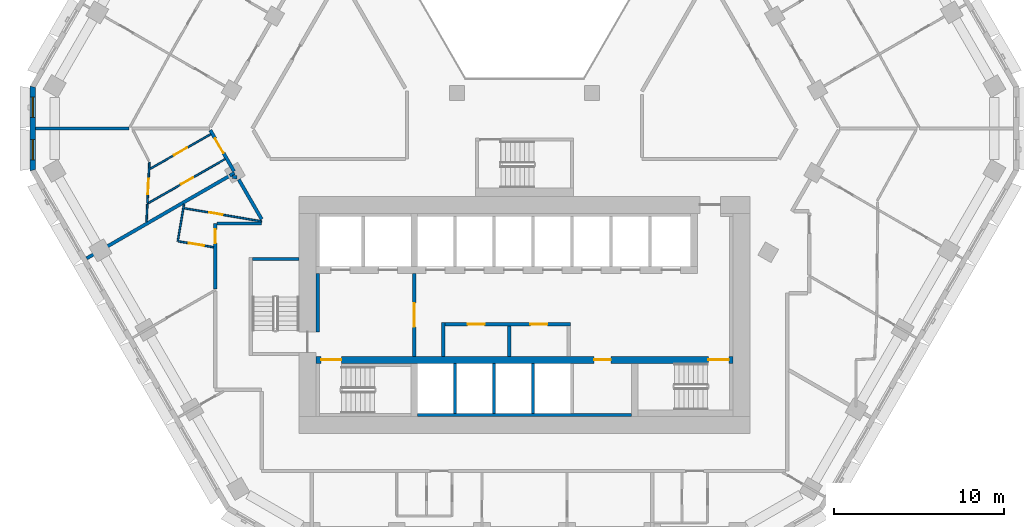
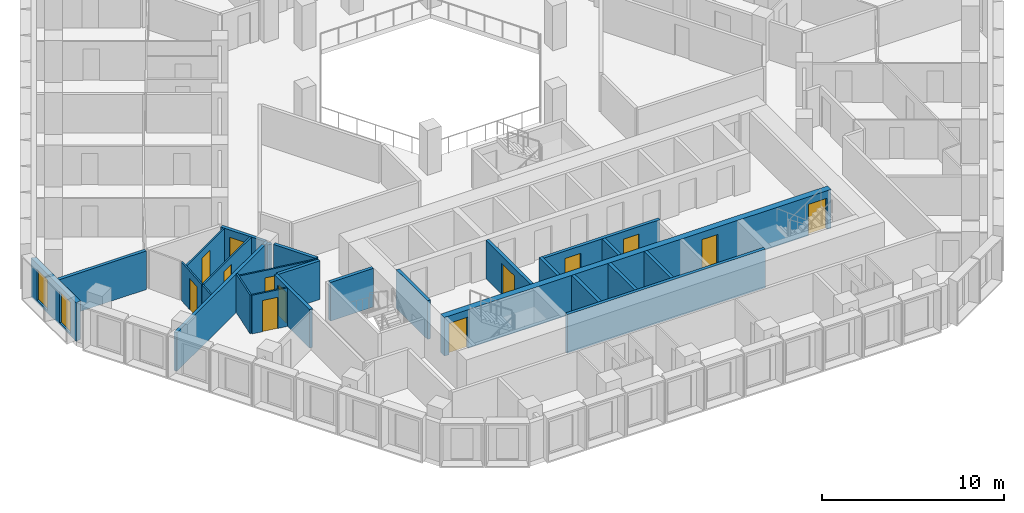
# One storey, part 4 of 18: 27 walls, 13 doors, 2 windows, 15 openings.
"""IFC4 building model written with IfcOpenShell, lengths in metres."""

from ifc_helpers import new_model, si_unit, direction, frame, frame_2d, origin, place, context, subcontext, project, spatial, polyline, rectangle, outline, extrude, material, layer, layer_set, type_object, element, fill, save


model = new_model("IFC4")

# Units and contexts
model_context = context("Model", 3, precision=1e-05, world=origin(), true_north=direction((0.0, 1.0)))
body_context = subcontext(model_context, "Body", "Model", "MODEL_VIEW")
ifc_project = project(units=[si_unit("LENGTHUNIT", "METRE"), si_unit("AREAUNIT", "SQUARE_METRE"), si_unit("VOLUMEUNIT", "CUBIC_METRE"), si_unit("PLANEANGLEUNIT", "RADIAN"), si_unit("MASSUNIT", "GRAM", prefix="KILO")], contexts=[model_context])

# Site, building, storey
site_placement = place(None, origin())
site = spatial("IfcSite", under=ifc_project, at=site_placement, CompositionType="ELEMENT")
building_placement = place(site_placement, origin())
building = spatial("IfcBuilding", under=site, at=building_placement, Name="Beryl Residences", CompositionType="ELEMENT")
storey_placement = place(building_placement, frame((0.0, 0.0, 105.0)))
storey = spatial("IfcBuildingStorey", under=building, at=storey_placement, Name="L32", CompositionType="ELEMENT", Elevation=105.0)

# Wall, openings, windows
ifc_material_1 = material(Name="Composite metal panel with mineral wool insulation")
ifc_layer_1 = layer(ifc_material_1, 0.300048828125)
ifc_layer_set_1 = layer_set([ifc_layer_1], Name="ES1 pale metal composite panel wall 300 mm")
wall_type_1 = type_object("IfcWallType", Name="ES1 pale metal composite panel wall 300 mm", PredefinedType="SOLIDWALL", material=ifc_layer_set_1)
wall_1_placement = place(storey_placement, frame((-29.007080078125, 1.5, 0.0), z_axis=(0.0, 0.0, 1.0), x_axis=(0.0, -1.0, 0.0)))
wall_1 = element("IfcWall", 1, at=wall_1_placement, inside=storey, type_object=wall_type_1, Name="ES1 external wall L32 NW-SW", PredefinedType="SOLIDWALL", context=body_context, shape_type="SweptSolid", body=[
    extrude(outline(polyline([(0.0, -0.14990234375), (5.0, -0.14990234375), (4.919677734375, 0.14990234375), (0.080322265625, 0.14990234375), (0.0, -0.14990234375)])), origin(), (0.0, 0.0, 1.0), 2.60009765625),
])
opening_1_placement = place(wall_1_placement, frame((0.64990234375, 0.0, 0.14990234375)))
opening_1 = element("IfcOpeningElement", 2, at=opening_1_placement, cuts=wall_1, Name="Opening W2", PredefinedType="OPENING", context=body_context, shape_type="SweptSolid", body=[
    extrude(rectangle(XDim=1.199951171875, YDim=2.10009765625, at=frame_2d((0.60009765625, 1.050048828125))), frame((0.0, 0.159912109375, 0.0), z_axis=(0.0, -1.0, 0.0), x_axis=(1.0, 0.0, 0.0)), (0.0, 0.0, 1.0), 0.320068359375),
])
opening_2_placement = place(wall_1_placement, frame((3.14990234375, 0.0, 0.14990234375)))
opening_2 = element("IfcOpeningElement", 3, at=opening_2_placement, cuts=wall_1, Name="Opening W2", PredefinedType="OPENING", context=body_context, shape_type="SweptSolid", body=[
    extrude(rectangle(XDim=1.199951171875, YDim=2.10009765625, at=frame_2d((0.60009765625, 1.050048828125))), frame((0.0, 0.159912109375, 0.0), z_axis=(0.0, -1.0, 0.0), x_axis=(1.0, 0.0, 0.0)), (0.0, 0.0, 1.0), 0.320068359375),
])
ifc_material_2 = material(Name="Aluminium and clear glass", Category="aluminium")
window_type = type_object("IfcWindowType", Name="W2 chamfer window 1200 x 2100 mm", PartitioningType="SINGLE_PANEL", PredefinedType="WINDOW", material=ifc_material_2)
window_1_placement = place(opening_1_placement, origin())
window_1 = element("IfcWindow", 4, at=window_1_placement, inside=storey, type_object=window_type, Name="W2 window L32 NW-SW 1", OverallHeight=2.10009765625, OverallWidth=1.199951171875, PartitioningType="SINGLE_PANEL", PredefinedType="WINDOW", context=body_context, shape_type="SweptSolid", body=[
    extrude(rectangle(XDim=1.199951171875, YDim=2.10009765625, at=frame_2d((0.60009765625, 1.050048828125))), frame((0.0, 0.030029296875, 0.0), z_axis=(0.0, -1.0, 0.0), x_axis=(1.0, 0.0, 0.0)), (0.0, 0.0, 1.0), 0.06005859375),
])
fill(opening_1, window_1)
window_2_placement = place(opening_2_placement, origin())
window_2 = element("IfcWindow", 5, at=window_2_placement, inside=storey, type_object=window_type, Name="W2 window L32 NW-SW 2", OverallHeight=2.10009765625, OverallWidth=1.199951171875, PartitioningType="SINGLE_PANEL", PredefinedType="WINDOW", context=body_context, shape_type="SweptSolid", body=[
    extrude(rectangle(XDim=1.199951171875, YDim=2.10009765625, at=frame_2d((0.60009765625, 1.050048828125))), frame((0.0, 0.030029296875, 0.0), z_axis=(0.0, -1.0, 0.0), x_axis=(1.0, 0.0, 0.0)), (0.0, 0.0, 1.0), 0.06005859375),
])
fill(opening_2, window_2)

# Wall, opening, door
ifc_material_3 = material(Name="Gypsum board partition on steel studs", Category="steel")
ifc_layer_2 = layer(ifc_material_3, 0.10009765625)
ifc_layer_set_2 = layer_set([ifc_layer_2], Name="PT1 partition 100 mm gypsum board on steel studs")
wall_type_2 = type_object("IfcWallType", Name="PT1 partition 100 mm gypsum board on steel studs", PredefinedType="PARTITIONING", material=ifc_layer_set_2)
wall_2_placement = place(storey_placement, frame((-20.071044921875, -5.7041015625, 0.0), z_axis=(0.0, 0.0, 1.0), x_axis=(0.985933263306, -0.16713946364, 0.0)))
wall_2 = element("IfcWall", 6, at=wall_2_placement, inside=storey, type_object=wall_type_2, Name="Wall PT1 L32 013", PredefinedType="PARTITIONING", context=body_context, shape_type="SweptSolid", body=[
    extrude(rectangle(XDim=4.63623046875, YDim=0.10009765625, at=frame_2d((2.318115234375, 0.0))), origin(), (0.0, 0.0, 1.0), 2.60009765625),
])
opening_3_placement = place(wall_2_placement, frame((1.492919921875, 0.0, 0.0)))
opening_3 = element("IfcOpeningElement", 7, at=opening_3_placement, cuts=wall_2, Name="Opening D0702", PredefinedType="OPENING", context=body_context, shape_type="SweptSolid", body=[
    extrude(rectangle(XDim=0.800048828125, YDim=2.10009765625, at=frame_2d((0.39990234375, 1.050048828125))), frame((0.0, 0.06005859375, 0.0), z_axis=(0.0, -1.0, 0.0), x_axis=(1.0, 0.0, 0.0)), (0.0, 0.0, 1.0), 0.1201171875),
])
ifc_material_4 = material(Name="Timber door leaf", Category="wood")
door_type_1 = type_object("IfcDoorType", Name="D3 bathroom door 800 x 2100 mm", OperationType="SINGLE_SWING_LEFT", PredefinedType="DOOR", material=ifc_material_4)
door_1_placement = place(opening_3_placement, origin())
door_1 = element("IfcDoor", 8, at=door_1_placement, inside=storey, type_object=door_type_1, Name="Door D0702 L32 001", OperationType="SINGLE_SWING_RIGHT", OverallHeight=2.10009765625, OverallWidth=0.800048828125, PredefinedType="DOOR", context=body_context, shape_type="SweptSolid", body=[
    extrude(rectangle(XDim=0.800048828125, YDim=2.10009765625, at=frame_2d((0.39990234375, 1.050048828125))), frame((0.0, 0.02490234375, 0.0), z_axis=(0.0, -1.0, 0.0), x_axis=(1.0, 0.0, 0.0)), (0.0, 0.0, 1.0), 0.050048828125),
])
fill(opening_3, door_1)

wall_3_placement = place(storey_placement, frame((-20.40087890625, -7.656982421875, 0.0), z_axis=(0.0, 0.0, 1.0), x_axis=(0.985991281902, -0.166796858522, 0.0)))
wall_3 = element("IfcWall", 9, at=wall_3_placement, inside=storey, type_object=wall_type_2, Name="Wall PT1 L32 014", PredefinedType="PARTITIONING", context=body_context, shape_type="SweptSolid", body=[
    extrude(rectangle(XDim=2.079833984375, YDim=0.10009765625, at=frame_2d((1.0400390625, 0.0))), origin(), (0.0, 0.0, 1.0), 2.60009765625),
])
opening_4_placement = place(wall_3_placement, frame((0.615966796875, 0.0, 0.0)))
opening_4 = element("IfcOpeningElement", 10, at=opening_4_placement, cuts=wall_3, Name="Opening D0703", PredefinedType="OPENING", context=body_context, shape_type="SweptSolid", body=[
    extrude(rectangle(XDim=0.89990234375, YDim=2.10009765625, at=frame_2d((0.449951171875, 1.050048828125))), frame((0.0, 0.06005859375, 0.0), z_axis=(0.0, -1.0, 0.0), x_axis=(1.0, 0.0, 0.0)), (0.0, 0.0, 1.0), 0.1201171875),
])
ifc_material_5 = material(Name="Timber door leaf", Category="wood")
door_type_2 = type_object("IfcDoorType", Name="D2 room door 900 x 2100 mm", OperationType="SINGLE_SWING_LEFT", PredefinedType="DOOR", material=ifc_material_5)
door_2_placement = place(opening_4_placement, origin())
door_2 = element("IfcDoor", 11, at=door_2_placement, inside=storey, type_object=door_type_2, Name="Door D0703 L32 001", OperationType="SINGLE_SWING_LEFT", OverallHeight=2.10009765625, OverallWidth=0.89990234375, PredefinedType="DOOR", context=body_context, shape_type="SweptSolid", body=[
    extrude(rectangle(XDim=0.89990234375, YDim=2.10009765625, at=frame_2d((0.449951171875, 1.050048828125))), frame((0.0, 0.02490234375, 0.0), z_axis=(0.0, -1.0, 0.0), x_axis=(1.0, 0.0, 0.0)), (0.0, 0.0, 1.0), 0.050048828125),
])
fill(opening_4, door_2)

# Wall
wall_4_placement = place(storey_placement, frame((-20.450927734375, -7.64697265625, 0.0), z_axis=(0.0, 0.0, 1.0), x_axis=(0.167037570483, 0.985950531237, 0.0)))
element("IfcWall", 12, at=wall_4_placement, inside=storey, type_object=wall_type_2, Name="Wall PT1 L32 035", PredefinedType="PARTITIONING", context=body_context, shape_type="SweptSolid", body=[
    extrude(rectangle(XDim=2.22021484375, YDim=0.10009765625, at=frame_2d((1.110107421875, 0.0))), origin(), (0.0, 0.0, 1.0), 2.60009765625),
])

# Wall, opening, door
wall_5_placement = place(storey_placement, frame((-22.242919921875, -5.39501953125, 0.0), z_axis=(0.0, 0.0, 1.0), x_axis=(0.049092933256, 0.998794214993, 0.0)))
wall_5 = element("IfcWall", 13, at=wall_5_placement, inside=storey, type_object=wall_type_2, Name="Wall PT1 L32 037", PredefinedType="PARTITIONING", context=body_context, shape_type="SweptSolid", body=[
    extrude(rectangle(XDim=2.421875, YDim=0.10009765625, at=frame_2d((1.2109375, 0.0))), origin(), (0.0, 0.0, 1.0), 2.60009765625),
])
opening_5_placement = place(wall_5_placement, frame((0.52197265625, 0.0, 0.0)))
opening_5 = element("IfcOpeningElement", 14, at=opening_5_placement, cuts=wall_5, Name="Opening D0758", PredefinedType="OPENING", context=body_context, shape_type="SweptSolid", body=[
    extrude(rectangle(XDim=0.89990234375, YDim=2.10009765625, at=frame_2d((0.449951171875, 1.050048828125))), frame((0.0, 0.06005859375, 0.0), z_axis=(0.0, -1.0, 0.0), x_axis=(1.0, 0.0, 0.0)), (0.0, 0.0, 1.0), 0.1201171875),
])
door_3_placement = place(opening_5_placement, origin())
door_3 = element("IfcDoor", 15, at=door_3_placement, inside=storey, type_object=door_type_2, Name="Door D0758 L32 001", OperationType="SINGLE_SWING_RIGHT", OverallHeight=2.10009765625, OverallWidth=0.89990234375, PredefinedType="DOOR", context=body_context, shape_type="SweptSolid", body=[
    extrude(rectangle(XDim=0.89990234375, YDim=2.10009765625, at=frame_2d((0.449951171875, 1.050048828125))), frame((0.0, 0.02490234375, 0.0), z_axis=(0.0, -1.0, 0.0), x_axis=(1.0, 0.0, 0.0)), (0.0, 0.0, 1.0), 0.050048828125),
])
fill(opening_5, door_3)

# Wall
wall_6_placement = place(storey_placement, frame((-22.2919921875, -6.50390625, 0.0), z_axis=(0.0, 0.0, 1.0), x_axis=(0.04434829575, 0.999016130332, 0.0)))
element("IfcWall", 16, at=wall_6_placement, inside=storey, type_object=wall_type_2, Name="Wall PT1 L32 038", PredefinedType="PARTITIONING", context=body_context, shape_type="SweptSolid", body=[
    extrude(rectangle(XDim=1.034912109375, YDim=0.10009765625, at=frame_2d((0.517578125, 0.0))), origin(), (0.0, 0.0, 1.0), 2.60009765625),
])

# Wall, opening, door
wall_7_placement = place(storey_placement, frame((-22.2451171875, -5.43505859375, 0.0), z_axis=(0.0, 0.0, 1.0), x_axis=(0.867311485465, 0.497765795511, 0.0)))
wall_7 = element("IfcWall", 17, at=wall_7_placement, inside=storey, type_object=wall_type_2, Name="Wall PT1 L32 055", PredefinedType="PARTITIONING", context=body_context, shape_type="SweptSolid", body=[
    extrude(rectangle(XDim=5.281982421875, YDim=0.10009765625, at=frame_2d((2.64111328125, 0.0))), origin(), (0.0, 0.0, 1.0), 2.60009765625),
])
opening_6_placement = place(wall_7_placement, frame((2.291015625, 0.0, 0.0)))
opening_6 = element("IfcOpeningElement", 18, at=opening_6_placement, cuts=wall_7, Name="Opening D0756", PredefinedType="OPENING", context=body_context, shape_type="SweptSolid", body=[
    extrude(rectangle(XDim=0.800048828125, YDim=2.10009765625, at=frame_2d((0.39990234375, 1.050048828125))), frame((0.0, 0.06005859375, 0.0), z_axis=(0.0, -1.0, 0.0), x_axis=(1.0, 0.0, 0.0)), (0.0, 0.0, 1.0), 0.1201171875),
])
door_4_placement = place(opening_6_placement, origin())
door_4 = element("IfcDoor", 19, at=door_4_placement, inside=storey, type_object=door_type_1, Name="Door D0756 L32 001", OperationType="SINGLE_SWING_RIGHT", OverallHeight=2.10009765625, OverallWidth=0.800048828125, PredefinedType="DOOR", context=body_context, shape_type="SweptSolid", body=[
    extrude(rectangle(XDim=0.800048828125, YDim=2.10009765625, at=frame_2d((0.39990234375, 1.050048828125))), frame((0.0, 0.02490234375, 0.0), z_axis=(0.0, -1.0, 0.0), x_axis=(1.0, 0.0, 0.0)), (0.0, 0.0, 1.0), 0.050048828125),
])
fill(opening_6, door_4)

wall_8_placement = place(storey_placement, frame((-22.093994140625, -3.387939453125, 0.0), z_axis=(0.0, 0.0, 1.0), x_axis=(0.867386440944, 0.497635169644, 0.0)))
wall_8 = element("IfcWall", 20, at=wall_8_placement, inside=storey, type_object=wall_type_2, Name="Wall PT1 L32 057", PredefinedType="PARTITIONING", context=body_context, shape_type="SweptSolid", body=[
    extrude(rectangle(XDim=4.12744140625, YDim=0.10009765625, at=frame_2d((2.063720703125, 0.0))), origin(), (0.0, 0.0, 1.0), 2.60009765625),
])
opening_7_placement = place(wall_8_placement, frame((1.634033203125, 0.0, 0.0)))
opening_7 = element("IfcOpeningElement", 21, at=opening_7_placement, cuts=wall_8, Name="Opening D0757", PredefinedType="OPENING", context=body_context, shape_type="SweptSolid", body=[
    extrude(rectangle(XDim=0.89990234375, YDim=2.10009765625, at=frame_2d((0.449951171875, 1.050048828125))), frame((0.0, 0.06005859375, 0.0), z_axis=(0.0, -1.0, 0.0), x_axis=(1.0, 0.0, 0.0)), (0.0, 0.0, 1.0), 0.1201171875),
])
door_5_placement = place(opening_7_placement, origin())
door_5 = element("IfcDoor", 22, at=door_5_placement, inside=storey, type_object=door_type_2, Name="Door D0757 L32 001", OperationType="SINGLE_SWING_LEFT", OverallHeight=2.10009765625, OverallWidth=0.89990234375, PredefinedType="DOOR", context=body_context, shape_type="SweptSolid", body=[
    extrude(rectangle(XDim=0.89990234375, YDim=2.10009765625, at=frame_2d((0.449951171875, 1.050048828125))), frame((0.0, 0.02490234375, 0.0), z_axis=(0.0, -1.0, 0.0), x_axis=(1.0, 0.0, 0.0)), (0.0, 0.0, 1.0), 0.050048828125),
])
fill(opening_7, door_5)

# Wall
ifc_material_6 = material(Name="Concrete masonry", Category="masonry")
ifc_layer_3 = layer(ifc_material_6, 0.199951171875)
ifc_layer_set_3 = layer_set([ifc_layer_3], Name="PT13 lobby wall 200 mm")
wall_type_3 = type_object("IfcWallType", Name="PT13 lobby wall 200 mm", PredefinedType="PARTITIONING", material=ifc_layer_set_3)
wall_9_placement = place(storey_placement, frame((-12.199951171875, -13.0, 0.0), z_axis=(0.0, 0.0, 1.0), x_axis=(0.0, 1.0, 0.0)))
element("IfcWall", 23, at=wall_9_placement, inside=storey, type_object=wall_type_3, Name="Lobby wall 05", PredefinedType="PARTITIONING", context=body_context, shape_type="SweptSolid", body=[
    extrude(rectangle(XDim=3.449951171875, YDim=0.199951171875, at=frame_2d((1.72509765625, 0.0))), origin(), (0.0, 0.0, 1.0), 2.60009765625),
])

# Wall, opening, door
wall_10_placement = place(storey_placement, frame((-6.5, -14.449951171875, 0.0), z_axis=(0.0, 0.0, 1.0), x_axis=(0.0, 1.0, 0.0)))
wall_10 = element("IfcWall", 24, at=wall_10_placement, inside=storey, type_object=wall_type_3, Name="Lobby wall 11", PredefinedType="PARTITIONING", context=body_context, shape_type="SweptSolid", body=[
    extrude(rectangle(XDim=4.89990234375, YDim=0.199951171875, at=frame_2d((2.449951171875, 0.0))), origin(), (0.0, 0.0, 1.0), 2.60009765625),
])
opening_8_placement = place(wall_10_placement, frame((3.14990234375, 0.0, 0.0), z_axis=(0.0, 0.0, 1.0), x_axis=(-1.0, 0.0, 0.0)))
opening_8 = element("IfcOpeningElement", 25, at=opening_8_placement, cuts=wall_10, Name="Opening FD-FFL", PredefinedType="OPENING", context=body_context, shape_type="SweptSolid", body=[
    extrude(rectangle(XDim=1.39990234375, YDim=2.10009765625, at=frame_2d((0.699951171875, 1.050048828125))), frame((0.0, 0.10986328125, 0.0), z_axis=(0.0, -1.0, 0.0), x_axis=(1.0, 0.0, 0.0)), (0.0, 0.0, 1.0), 0.219970703125),
])
ifc_material_7 = material(Name="Steel door leaf in steel frame", Category="steel")
door_type_3 = type_object("IfcDoorType", Name="D5 lobby door 1400 x 2100 mm", OperationType="DOUBLE_DOOR_SINGLE_SWING", PredefinedType="DOOR", material=ifc_material_7)
door_6_placement = place(opening_8_placement, origin())
door_6 = element("IfcDoor", 26, at=door_6_placement, inside=storey, type_object=door_type_3, Name="Door FD-FFL L32 001", OperationType="DOUBLE_DOOR_SINGLE_SWING", OverallHeight=2.10009765625, OverallWidth=1.39990234375, PredefinedType="DOOR", context=body_context, shape_type="SweptSolid", body=[
    extrude(rectangle(XDim=1.39990234375, YDim=2.10009765625, at=frame_2d((0.699951171875, 1.050048828125))), frame((0.0, 0.02490234375, 0.0), z_axis=(0.0, -1.0, 0.0), x_axis=(1.0, 0.0, 0.0)), (0.0, 0.0, 1.0), 0.050048828125),
])
fill(opening_8, door_6)

# Wall
wall_11_placement = place(storey_placement, frame((-4.800048828125, -14.449951171875, 0.0), z_axis=(0.0, 0.0, 1.0), x_axis=(0.0, 1.0, 0.0)))
element("IfcWall", 27, at=wall_11_placement, inside=storey, type_object=wall_type_3, Name="Lobby wall 14", PredefinedType="PARTITIONING", context=body_context, shape_type="SweptSolid", body=[
    extrude(rectangle(XDim=2.0, YDim=0.199951171875, at=frame_2d((1.0, 0.0))), origin(), (0.0, 0.0, 1.0), 2.60009765625),
])

# Wall, openings, doors
wall_12_placement = place(storey_placement, frame((-4.699951171875, -12.550048828125, 0.0), z_axis=(0.0, 0.0, 1.0), x_axis=(1.0, 0.0, 0.0)))
wall_12 = element("IfcWall", 28, at=wall_12_placement, inside=storey, type_object=wall_type_3, Name="Lobby wall 15", PredefinedType="PARTITIONING", context=body_context, shape_type="SweptSolid", body=[
    extrude(rectangle(XDim=7.39990234375, YDim=0.199951171875, at=frame_2d((3.699951171875, 0.0))), origin(), (0.0, 0.0, 1.0), 2.60009765625),
])
opening_9_placement = place(wall_12_placement, frame((2.35009765625, 0.0, 0.0), z_axis=(0.0, 0.0, 1.0), x_axis=(-1.0, 0.0, 0.0)))
opening_9 = element("IfcOpeningElement", 29, at=opening_9_placement, cuts=wall_12, Name="Opening CD-D-A1", PredefinedType="OPENING", context=body_context, shape_type="SweptSolid", body=[
    extrude(rectangle(XDim=1.0, YDim=2.10009765625, at=frame_2d((0.5, 1.050048828125))), frame((0.0, 0.10986328125, 0.0), z_axis=(0.0, -1.0, 0.0), x_axis=(1.0, 0.0, 0.0)), (0.0, 0.0, 1.0), 0.219970703125),
])
opening_10_placement = place(wall_12_placement, frame((6.050048828125, 0.0, 0.0), z_axis=(0.0, 0.0, 1.0), x_axis=(-1.0, 0.0, 0.0)))
opening_10 = element("IfcOpeningElement", 30, at=opening_10_placement, cuts=wall_12, Name="Opening CD-D-A2", PredefinedType="OPENING", context=body_context, shape_type="SweptSolid", body=[
    extrude(rectangle(XDim=1.0, YDim=2.10009765625, at=frame_2d((0.5, 1.050048828125))), frame((0.0, 0.10986328125, 0.0), z_axis=(0.0, -1.0, 0.0), x_axis=(1.0, 0.0, 0.0)), (0.0, 0.0, 1.0), 0.219970703125),
])
ifc_material_8 = material(Name="Steel door leaf in steel frame", Category="steel")
door_type_4 = type_object("IfcDoorType", Name="D18 service room door 1000 x 2100 mm", OperationType="SINGLE_SWING_LEFT", PredefinedType="DOOR", material=ifc_material_8)
door_7_placement = place(opening_9_placement, origin())
door_7 = element("IfcDoor", 31, at=door_7_placement, inside=storey, type_object=door_type_4, Name="Door CD-D-A1 L32 001", OperationType="SINGLE_SWING_RIGHT", OverallHeight=2.10009765625, OverallWidth=1.0, PredefinedType="DOOR", context=body_context, shape_type="SweptSolid", body=[
    extrude(rectangle(XDim=1.0, YDim=2.10009765625, at=frame_2d((0.5, 1.050048828125))), frame((0.0, 0.02490234375, 0.0), z_axis=(0.0, -1.0, 0.0), x_axis=(1.0, 0.0, 0.0)), (0.0, 0.0, 1.0), 0.050048828125),
])
fill(opening_9, door_7)
door_8_placement = place(opening_10_placement, origin())
door_8 = element("IfcDoor", 32, at=door_8_placement, inside=storey, type_object=door_type_4, Name="Door CD-D-A2 L32 001", OperationType="SINGLE_SWING_LEFT", OverallHeight=2.10009765625, OverallWidth=1.0, PredefinedType="DOOR", context=body_context, shape_type="SweptSolid", body=[
    extrude(rectangle(XDim=1.0, YDim=2.10009765625, at=frame_2d((0.5, 1.050048828125))), frame((0.0, 0.02490234375, 0.0), z_axis=(0.0, -1.0, 0.0), x_axis=(1.0, 0.0, 0.0)), (0.0, 0.0, 1.0), 0.050048828125),
])
fill(opening_10, door_8)

# Walls
ifc_material_9 = material(Name="Acoustic double stud gypsum board wall")
ifc_layer_4 = layer(ifc_material_9, 0.199951171875)
ifc_layer_set_4 = layer_set([ifc_layer_4], Name="PT3 party wall 200 mm acoustic double stud")
wall_type_4 = type_object("IfcWallType", Name="PT3 party wall 200 mm acoustic double stud", PredefinedType="PARTITIONING", material=ifc_layer_set_4)
wall_13_placement = place(storey_placement, frame((-17.22412109375, -3.843994140625, 0.0), z_axis=(0.0, 0.0, 1.0), x_axis=(0.986049492372, -0.166452391373, 0.0)))
element("IfcWall", 33, at=wall_13_placement, inside=storey, type_object=wall_type_4, Name="Wall PT3 L32 004", PredefinedType="PARTITIONING", context=body_context, shape_type="SweptSolid", body=[
    extrude(rectangle(XDim=0.269775390625, YDim=0.199951171875, at=frame_2d((0.134765625, 0.0))), origin(), (0.0, 0.0, 1.0), 2.60009765625),
])
wall_14_placement = place(storey_placement, frame((-28.85693359375, -1.0009765625, 0.0), z_axis=(0.0, 0.0, 1.0), x_axis=(1.0, 0.0, 0.0)))
element("IfcWall", 34, at=wall_14_placement, inside=storey, type_object=wall_type_4, Name="Wall PT3 L32 008", PredefinedType="PARTITIONING", context=body_context, shape_type="SweptSolid", body=[
    extrude(rectangle(XDim=5.541015625, YDim=0.199951171875, at=frame_2d((2.7705078125, 0.0))), origin(), (0.0, 0.0, 1.0), 2.60009765625),
])
wall_15_placement = place(storey_placement, frame((-25.830078125, -8.662109375, 0.0), z_axis=(0.0, 0.0, 1.0), x_axis=(0.866026801646, 0.499997578825, 0.0)))
element("IfcWall", 35, at=wall_15_placement, inside=storey, type_object=wall_type_4, Name="Wall PT3 L32 017", PredefinedType="PARTITIONING", context=body_context, shape_type="SweptSolid", body=[
    extrude(rectangle(XDim=9.7041015625, YDim=0.199951171875, at=frame_2d((4.85205078125, 0.0))), origin(), (0.0, 0.0, 1.0), 2.60009765625),
])
wall_16_placement = place(storey_placement, frame((-17.385009765625, -3.785888671875, 0.0), z_axis=(0.0, 0.0, 1.0), x_axis=(0.86668269741, 0.498859801958, 0.0)))
element("IfcWall", 36, at=wall_16_placement, inside=storey, type_object=wall_type_4, Name="Wall PT3 L32 018", PredefinedType="PARTITIONING", context=body_context, shape_type="SweptSolid", body=[
    extrude(rectangle(XDim=0.318603515625, YDim=0.199951171875, at=frame_2d((0.1591796875, 0.0))), origin(), (0.0, 0.0, 1.0), 2.60009765625),
])

# Wall, opening, door
ifc_material_10 = material(Name="Double stud gypsum board wall")
ifc_layer_5 = layer(ifc_material_10, 0.199951171875)
ifc_layer_set_5 = layer_set([ifc_layer_5], Name="PT4 corridor wall 200 mm double stud")
wall_type_5 = type_object("IfcWallType", Name="PT4 corridor wall 200 mm double stud", PredefinedType="PARTITIONING", material=ifc_layer_set_5)
wall_17_placement = place(storey_placement, frame((-18.532958984375, -1.10107421875, 0.0), z_axis=(0.0, 0.0, 1.0), x_axis=(0.500135180047, -0.865947343479, 0.0)))
wall_17 = element("IfcWall", 37, at=wall_17_placement, inside=storey, type_object=wall_type_5, Name="Wall PT4 L32 003", PredefinedType="PARTITIONING", context=body_context, shape_type="SweptSolid", body=[
    extrude(rectangle(XDim=2.799072265625, YDim=0.199951171875, at=frame_2d((1.3994140625, 0.0))), origin(), (0.0, 0.0, 1.0), 2.60009765625),
])
opening_11_placement = place(wall_17_placement, frame((0.56201171875, 0.0, 0.0)))
opening_11 = element("IfcOpeningElement", 38, at=opening_11_placement, cuts=wall_17, Name="Opening D0755", PredefinedType="OPENING", context=body_context, shape_type="SweptSolid", body=[
    extrude(rectangle(XDim=1.0, YDim=2.10009765625, at=frame_2d((0.5, 1.050048828125))), frame((0.0, 0.10986328125, 0.0), z_axis=(0.0, -1.0, 0.0), x_axis=(1.0, 0.0, 0.0)), (0.0, 0.0, 1.0), 0.219970703125),
])
ifc_material_11 = material(Name="Timber door leaf", Category="wood")
door_type_5 = type_object("IfcDoorType", Name="D1 flat entrance door 1000 x 2100 mm", OperationType="SINGLE_SWING_LEFT", PredefinedType="DOOR", material=ifc_material_11)
door_9_placement = place(opening_11_placement, origin())
door_9 = element("IfcDoor", 39, at=door_9_placement, inside=storey, type_object=door_type_5, Name="Door D0755 L32 001", OperationType="SINGLE_SWING_LEFT", OverallHeight=2.10009765625, OverallWidth=1.0, PredefinedType="DOOR", context=body_context, shape_type="SweptSolid", body=[
    extrude(rectangle(XDim=1.0, YDim=2.10009765625, at=frame_2d((0.5, 1.050048828125))), frame((0.0, 0.02490234375, 0.0), z_axis=(0.0, -1.0, 0.0), x_axis=(1.0, 0.0, 0.0)), (0.0, 0.0, 1.0), 0.050048828125),
])
fill(opening_11, door_9)

# Walls
wall_18_placement = place(storey_placement, frame((-16.85498046875, -4.008056640625, 0.0), z_axis=(0.0, 0.0, 1.0), x_axis=(0.500151474942, -0.865937932021, 0.0)))
element("IfcWall", 40, at=wall_18_placement, inside=storey, type_object=wall_type_5, Name="Wall PT4 L32 004", PredefinedType="PARTITIONING", context=body_context, shape_type="SweptSolid", body=[
    extrude(rectangle(XDim=2.709228515625, YDim=0.199951171875, at=frame_2d((1.3544921875, 0.0))), origin(), (0.0, 0.0, 1.0), 2.60009765625),
])
wall_19_placement = place(storey_placement, frame((-18.14990234375, -6.60009765625, 0.0), z_axis=(0.0, 0.0, 1.0), x_axis=(1.0, 0.0, 0.0)))
element("IfcWall", 41, at=wall_19_placement, inside=storey, type_object=wall_type_5, Name="Wall PT4 L32 013", PredefinedType="PARTITIONING", context=body_context, shape_type="SweptSolid", body=[
    extrude(rectangle(XDim=2.64892578125, YDim=0.199951171875, at=frame_2d((1.324462890625, 0.0))), origin(), (0.0, 0.0, 1.0), 2.60009765625),
])

# Wall, opening, door
wall_20_placement = place(storey_placement, frame((-18.25, -10.47900390625, 0.0), z_axis=(0.0, 0.0, 1.0), x_axis=(0.0, 1.0, 0.0)))
wall_20 = element("IfcWall", 42, at=wall_20_placement, inside=storey, type_object=wall_type_5, Name="Wall PT4 L32 033", PredefinedType="PARTITIONING", context=body_context, shape_type="SweptSolid", body=[
    extrude(rectangle(XDim=3.87890625, YDim=0.199951171875, at=frame_2d((1.939453125, 0.0))), origin(), (0.0, 0.0, 1.0), 2.60009765625),
])
opening_12_placement = place(wall_20_placement, frame((2.72412109375, 0.0, 0.0)))
opening_12 = element("IfcOpeningElement", 43, at=opening_12_placement, cuts=wall_20, Name="Opening D0701", PredefinedType="OPENING", context=body_context, shape_type="SweptSolid", body=[
    extrude(rectangle(XDim=0.800048828125, YDim=2.10009765625, at=frame_2d((0.39990234375, 1.050048828125))), frame((0.0, 0.10986328125, 0.0), z_axis=(0.0, -1.0, 0.0), x_axis=(1.0, 0.0, 0.0)), (0.0, 0.0, 1.0), 0.219970703125),
])
ifc_material_12 = material(Name="Timber door leaf", Category="wood")
door_type_6 = type_object("IfcDoorType", Name="D12 flat entrance door 800 x 2100 mm", OperationType="SINGLE_SWING_LEFT", PredefinedType="DOOR", material=ifc_material_12)
door_10_placement = place(opening_12_placement, origin())
door_10 = element("IfcDoor", 44, at=door_10_placement, inside=storey, type_object=door_type_6, Name="Door D0701 L32 001", OperationType="SINGLE_SWING_LEFT", OverallHeight=2.10009765625, OverallWidth=0.800048828125, PredefinedType="DOOR", context=body_context, shape_type="SweptSolid", body=[
    extrude(rectangle(XDim=0.800048828125, YDim=2.10009765625, at=frame_2d((0.39990234375, 1.050048828125))), frame((0.0, 0.02490234375, 0.0), z_axis=(0.0, -1.0, 0.0), x_axis=(1.0, 0.0, 0.0)), (0.0, 0.0, 1.0), 0.050048828125),
])
fill(opening_12, door_10)

# Walls
ifc_material_13 = material(Name="Concrete C40/50", Category="concrete")
ifc_layer_6 = layer(ifc_material_13, 0.199951171875)
ifc_layer_set_6 = layer_set([ifc_layer_6], Name="PT5 stair enclosure wall 200 mm reinforced concrete C40/50")
wall_type_6 = type_object("IfcWallType", Name="PT5 stair enclosure wall 200 mm reinforced concrete C40/50", PredefinedType="SOLIDWALL", material=ifc_layer_set_6)
wall_21_placement = place(storey_placement, frame((-16.050048828125, -8.699951171875, 0.0), z_axis=(0.0, 0.0, 1.0), x_axis=(1.0, 0.0, 0.0)))
element("IfcWall", 45, at=wall_21_placement, inside=storey, type_object=wall_type_6, Name="Stair wall 03", PredefinedType="SOLIDWALL", context=body_context, shape_type="SweptSolid", body=[
    extrude(rectangle(XDim=2.75, YDim=0.199951171875, at=frame_2d((1.375, 0.0))), origin(), (0.0, 0.0, 1.0), 2.60009765625),
])
ifc_material_14 = material(Name="Concrete C40/50", Category="concrete")
ifc_layer_7 = layer(ifc_material_14, 0.199951171875)
ifc_layer_set_7 = layer_set([ifc_layer_7], Name="PT6 lift shaft wall 200 mm reinforced concrete C40/50")
wall_type_7 = type_object("IfcWallType", Name="PT6 lift shaft wall 200 mm reinforced concrete C40/50", PredefinedType="SOLIDWALL", material=ifc_layer_set_7)
wall_22_placement = place(storey_placement, frame((-6.300048828125, -17.89990234375, 0.0), z_axis=(0.0, 0.0, 1.0), x_axis=(1.0, 0.0, 0.0)))
element("IfcWall", 46, at=wall_22_placement, inside=storey, type_object=wall_type_7, Name="Lift shaft wall 12", PredefinedType="SOLIDWALL", context=body_context, shape_type="SweptSolid", body=[
    extrude(rectangle(XDim=12.60009765625, YDim=0.199951171875, at=frame_2d((6.300048828125, 0.0))), origin(), (0.0, 0.0, 1.0), 2.60009765625),
])
for number, where, z_axis, x_axis, name in (
    (47, (-4.10009765625, -17.800048828125, 0.0), (0.0, 0.0, 1.0), (0.0, 1.0, 0.0), "Lift shaft wall 16"),
    (48, (-1.800048828125, -17.800048828125, 0.0), (0.0, 0.0, 1.0), (0.0, 1.0, 0.0), "Lift shaft wall 18"),
    (49, (0.5, -17.800048828125, 0.0), (0.0, 0.0, 1.0), (0.0, 1.0, 0.0), "Lift shaft wall 21"),
):
    element("IfcWall", number, at=place(storey_placement, frame(where, z_axis=z_axis, x_axis=x_axis)), inside=storey, type_object=wall_type_7, Name=name, PredefinedType="SOLIDWALL", context=body_context, shape_type="SweptSolid", body=[
        extrude(rectangle(XDim=2.949951171875, YDim=0.199951171875, at=frame_2d((1.47509765625, 0.0))), origin(), (0.0, 0.0, 1.0), 2.60009765625),
    ])
ifc_material_15 = material(Name="Concrete masonry", Category="masonry")
ifc_layer_8 = layer(ifc_material_15, 0.199951171875)
ifc_layer_set_8 = layer_set([ifc_layer_8], Name="PT8-200 service room wall 200 mm")
wall_type_8 = type_object("IfcWallType", Name="PT8-200 service room wall 200 mm", PredefinedType="PARTITIONING", material=ifc_layer_set_8)
wall_23_placement = place(storey_placement, frame((-0.89990234375, -14.449951171875, 0.0), z_axis=(0.0, 0.0, 1.0), x_axis=(0.0, 1.0, 0.0)))
element("IfcWall", 50, at=wall_23_placement, inside=storey, type_object=wall_type_8, Name="Core room wall 20", PredefinedType="PARTITIONING", context=body_context, shape_type="SweptSolid", body=[
    extrude(rectangle(XDim=1.800048828125, YDim=0.199951171875, at=frame_2d((0.89990234375, 0.0))), origin(), (0.0, 0.0, 1.0), 2.60009765625),
])

# Wall, openings, doors
ifc_material_16 = material(Name="Concrete C70/85", Category="concrete")
ifc_layer_9 = layer(ifc_material_16, 0.39990234375)
ifc_layer_set_9 = layer_set([ifc_layer_9], Name="SW7 core internal wall 400 mm C70/85")
wall_type_9 = type_object("IfcWallType", Name="SW7 core internal wall 400 mm C70/85", PredefinedType="SHEAR", material=ifc_layer_set_9)
wall_24_placement = place(storey_placement, frame((-12.300048828125, -14.64990234375, 0.0), z_axis=(0.0, 0.0, 1.0), x_axis=(1.0, 0.0, 0.0)))
wall_24 = element("IfcWall", 51, at=wall_24_placement, inside=storey, type_object=wall_type_9, Name="Core wall SP1 L32", PredefinedType="SHEAR", context=body_context, shape_type="SweptSolid", body=[
    extrude(rectangle(XDim=24.60009765625, YDim=0.39990234375, at=frame_2d((12.300048828125, 0.0))), origin(), (0.0, 0.0, 1.0), 2.60009765625),
])
opening_13_placement = place(wall_24_placement, frame((1.5, 0.0, 0.0), z_axis=(0.0, 0.0, 1.0), x_axis=(-1.0, 0.0, 0.0)))
opening_13 = element("IfcOpeningElement", 52, at=opening_13_placement, cuts=wall_24, Name="Opening SD-1", PredefinedType="OPENING", context=body_context, shape_type="SweptSolid", body=[
    extrude(rectangle(XDim=1.199951171875, YDim=2.10009765625, at=frame_2d((0.60009765625, 1.050048828125))), frame((0.0, 0.2099609375, 0.0), z_axis=(0.0, -1.0, 0.0), x_axis=(1.0, 0.0, 0.0)), (0.0, 0.0, 1.0), 0.419921875),
])
opening_14_placement = place(wall_24_placement, frame((24.349853515625, 0.0, 0.0), z_axis=(0.0, 0.0, 1.0), x_axis=(-1.0, 0.0, 0.0)))
opening_14 = element("IfcOpeningElement", 53, at=opening_14_placement, cuts=wall_24, Name="Opening SD-3", PredefinedType="OPENING", context=body_context, shape_type="SweptSolid", body=[
    extrude(rectangle(XDim=1.199951171875, YDim=2.10009765625, at=frame_2d((0.60009765625, 1.050048828125))), frame((0.0, 0.2099609375, 0.0), z_axis=(0.0, -1.0, 0.0), x_axis=(1.0, 0.0, 0.0)), (0.0, 0.0, 1.0), 0.419921875),
])
opening_15_placement = place(wall_24_placement, frame((17.39990234375, 0.0, 0.0), z_axis=(0.0, 0.0, 1.0), x_axis=(-1.0, 0.0, 0.0)))
opening_15 = element("IfcOpeningElement", 54, at=opening_15_placement, cuts=wall_24, Name="Opening CD-D-S1", PredefinedType="OPENING", context=body_context, shape_type="SweptSolid", body=[
    extrude(rectangle(XDim=1.0, YDim=2.10009765625, at=frame_2d((0.5, 1.050048828125))), frame((0.0, 0.2099609375, 0.0), z_axis=(0.0, -1.0, 0.0), x_axis=(1.0, 0.0, 0.0)), (0.0, 0.0, 1.0), 0.419921875),
])
door_11_placement = place(opening_15_placement, origin())
door_11 = element("IfcDoor", 55, at=door_11_placement, inside=storey, type_object=door_type_4, Name="Door CD-D-S1 L32 001", OperationType="SINGLE_SWING_RIGHT", OverallHeight=2.10009765625, OverallWidth=1.0, PredefinedType="DOOR", context=body_context, shape_type="SweptSolid", body=[
    extrude(rectangle(XDim=1.0, YDim=2.10009765625, at=frame_2d((0.5, 1.050048828125))), frame((0.0, 0.02490234375, 0.0), z_axis=(0.0, -1.0, 0.0), x_axis=(1.0, 0.0, 0.0)), (0.0, 0.0, 1.0), 0.050048828125),
])
fill(opening_15, door_11)
ifc_material_17 = material(Name="Steel door leaf in steel frame", Category="steel")
door_type_7 = type_object("IfcDoorType", Name="D4 stair door 1200 x 2100 mm", OperationType="SINGLE_SWING_LEFT", PredefinedType="DOOR", material=ifc_material_17)
door_12_placement = place(opening_13_placement, origin())
door_12 = element("IfcDoor", 56, at=door_12_placement, inside=storey, type_object=door_type_7, Name="Door SD-1 L32 001", OperationType="SINGLE_SWING_RIGHT", OverallHeight=2.10009765625, OverallWidth=1.199951171875, PredefinedType="DOOR", context=body_context, shape_type="SweptSolid", body=[
    extrude(rectangle(XDim=1.199951171875, YDim=2.10009765625, at=frame_2d((0.60009765625, 1.050048828125))), frame((0.0, 0.02490234375, 0.0), z_axis=(0.0, -1.0, 0.0), x_axis=(1.0, 0.0, 0.0)), (0.0, 0.0, 1.0), 0.050048828125),
])
fill(opening_13, door_12)
door_13_placement = place(opening_14_placement, origin())
door_13 = element("IfcDoor", 57, at=door_13_placement, inside=storey, type_object=door_type_7, Name="Door SD-3 L32 001", OperationType="SINGLE_SWING_RIGHT", OverallHeight=2.10009765625, OverallWidth=1.199951171875, PredefinedType="DOOR", context=body_context, shape_type="SweptSolid", body=[
    extrude(rectangle(XDim=1.199951171875, YDim=2.10009765625, at=frame_2d((0.60009765625, 1.050048828125))), frame((0.0, 0.02490234375, 0.0), z_axis=(0.0, -1.0, 0.0), x_axis=(1.0, 0.0, 0.0)), (0.0, 0.0, 1.0), 0.050048828125),
])
fill(opening_14, door_13)

save(model, "model.ifc")
